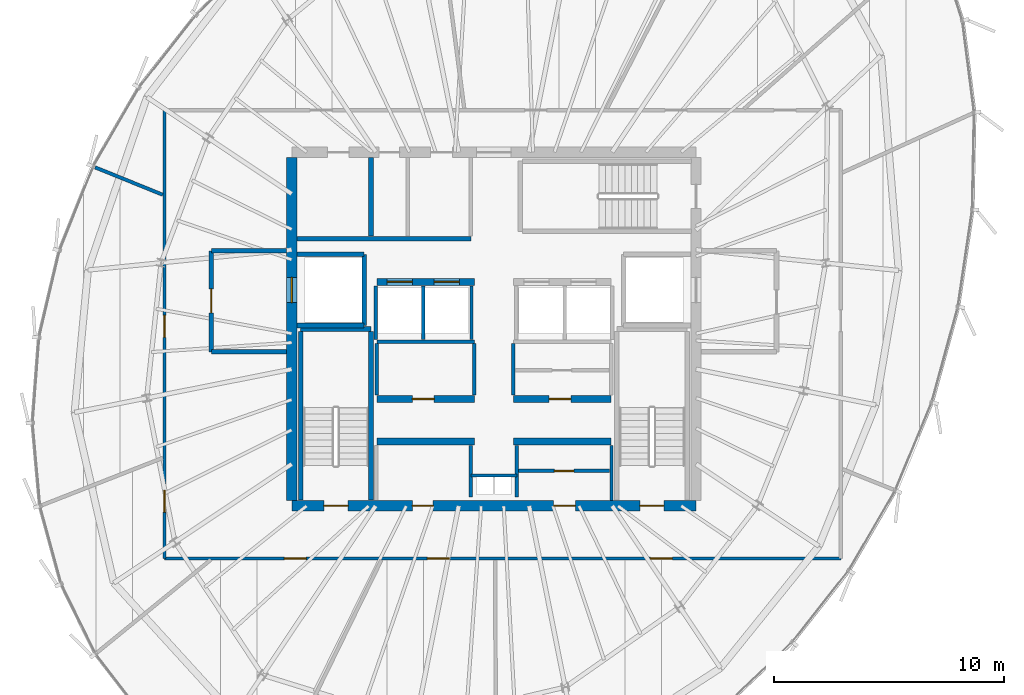
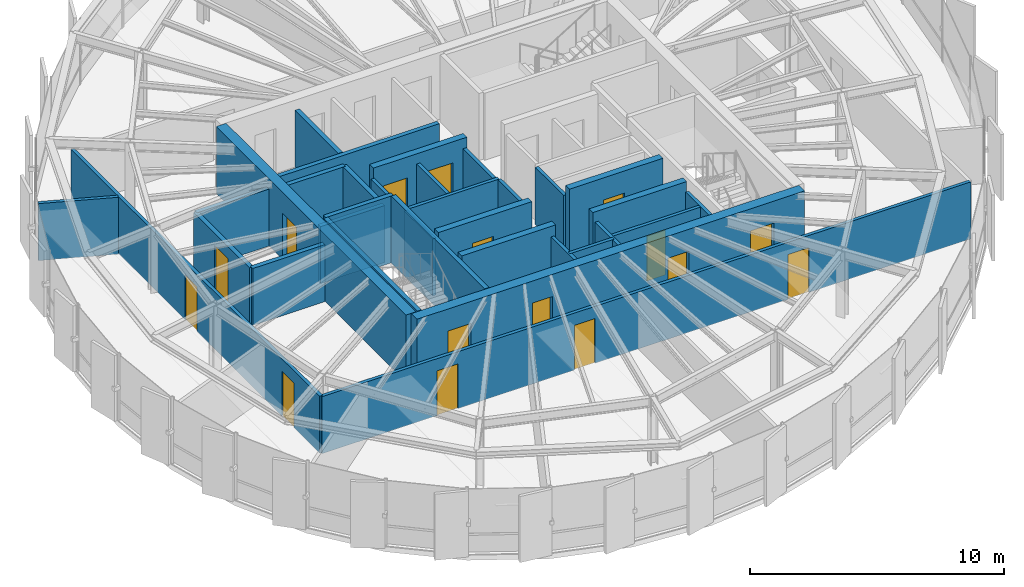
# One storey, part 28 of 34: 33 walls, 16 doors, 16 openings.
"""IFC4 building model written with IfcOpenShell, lengths in metres."""

from ifc_helpers import new_model, si_unit, direction, frame, frame_2d, origin, place, context, subcontext, project, spatial, rectangle, extrude, source, transform, mapped, material, layer, layer_set, type_object, element, fill, save


model = new_model("IFC4")

# Units and contexts
model_context = context("Model", 3, precision=1e-05, world=origin(), true_north=direction((0.0, 1.0)))
body_context = subcontext(model_context, "Body", "Model", "MODEL_VIEW")
ifc_project = project(units=[si_unit("LENGTHUNIT", "METRE"), si_unit("AREAUNIT", "SQUARE_METRE"), si_unit("VOLUMEUNIT", "CUBIC_METRE"), si_unit("PLANEANGLEUNIT", "RADIAN"), si_unit("MASSUNIT", "GRAM", prefix="KILO"), si_unit("THERMODYNAMICTEMPERATUREUNIT", "KELVIN")], contexts=[model_context])

# Site, building, storey
site_placement = place(None, origin())
site = spatial("IfcSite", under=ifc_project, at=site_placement, CompositionType="ELEMENT")
building_placement = place(site_placement, origin())
building = spatial("IfcBuilding", under=site, at=building_placement, Name="Kethvar Cultural Tower", CompositionType="ELEMENT")
storey_placement = place(building_placement, frame((0.0, 0.0, 259.449951171875)))
storey = spatial("IfcBuildingStorey", under=building, at=storey_placement, Name="L68", CompositionType="ELEMENT", Elevation=259.449951171875)

# Wall, openings, doors
ifc_material_1 = material(Name="Concrete C50/60", Category="concrete")
ifc_layer_1 = layer(ifc_material_1, 0.449951171875, Name="Concrete C50/60", Category="concrete")
ifc_layer_set_1 = layer_set([ifc_layer_1], Name="Concrete C50/60 (450 mm)")
wall_type_1 = type_object("IfcWallType", Name="WL-CORE-450", PredefinedType="SHEAR", material=ifc_layer_set_1)
wall_1_placement = place(storey_placement, frame((38.0, 20.10009765625, 0.0), z_axis=(0.0, 0.0, 1.0), x_axis=(1.0, 0.0, 0.0)))
wall_1 = element("IfcWall", 1, at=wall_1_placement, inside=storey, type_object=wall_type_1, Name="L68 Core Shear Wall S", PredefinedType="SHEAR", context=body_context, shape_type="SweptSolid", body=[
    extrude(rectangle(XDim=17.60009765625, YDim=0.449951171875, at=frame_2d((8.800048828125, 0.0))), origin(), (0.0, 0.0, 1.0), 3.2099609375),
])
opening_1_placement = place(wall_1_placement, frame((1.39990234375, 0.0, 0.0)))
opening_1 = element("IfcOpeningElement", 2, at=opening_1_placement, cuts=wall_1, Name="Opening D-L68-S1", PredefinedType="OPENING", context=body_context, shape_type="SweptSolid", body=[
    extrude(rectangle(XDim=1.050048828125, YDim=2.14990234375, at=frame_2d((0.52490234375, 1.074951171875))), frame((0.0, 0.23486328125, 0.0), z_axis=(0.0, -1.0, 0.0), x_axis=(1.0, 0.0, 0.0)), (0.0, 0.0, 1.0), 0.469970703125),
])
opening_2_placement = place(wall_1_placement, frame((15.14990234375, 0.0, 0.0)))
opening_2 = element("IfcOpeningElement", 3, at=opening_2_placement, cuts=wall_1, Name="Opening D-L68-ST2", PredefinedType="OPENING", context=body_context, shape_type="SweptSolid", body=[
    extrude(rectangle(XDim=1.050048828125, YDim=2.14990234375, at=frame_2d((0.52490234375, 1.074951171875))), frame((0.0, 0.23486328125, 0.0), z_axis=(0.0, -1.0, 0.0), x_axis=(1.0, 0.0, 0.0)), (0.0, 0.0, 1.0), 0.469970703125),
])
opening_3_placement = place(wall_1_placement, frame((5.25, 0.0, 0.0)))
opening_3 = element("IfcOpeningElement", 4, at=opening_3_placement, cuts=wall_1, Name="Opening D-L68-V1", PredefinedType="OPENING", context=body_context, shape_type="SweptSolid", body=[
    extrude(rectangle(XDim=0.89990234375, YDim=2.14990234375, at=frame_2d((0.449951171875, 1.074951171875))), frame((0.0, 0.23486328125, 0.0), z_axis=(0.0, -1.0, 0.0), x_axis=(1.0, 0.0, 0.0)), (0.0, 0.0, 1.0), 0.469970703125),
])
opening_4_placement = place(wall_1_placement, frame((11.39990234375, 0.0, 0.0)))
opening_4 = element("IfcOpeningElement", 5, at=opening_4_placement, cuts=wall_1, Name="Opening D-L68-V2", PredefinedType="OPENING", context=body_context, shape_type="SweptSolid", body=[
    extrude(rectangle(XDim=0.949951171875, YDim=2.14990234375, at=frame_2d((0.47509765625, 1.074951171875))), frame((0.0, 0.23486328125, 0.0), z_axis=(0.0, -1.0, 0.0), x_axis=(1.0, 0.0, 0.0)), (0.0, 0.0, 1.0), 0.469970703125),
])
ifc_material_2 = material(Name="Steel S355J2", Category="steel")
door_type_1 = type_object("IfcDoorType", Name="DR-FD60-1050", OperationType="NOTDEFINED", PredefinedType="DOOR", material=ifc_material_2)
shared_shape_1 = source(origin(), body_context, "Body", "SweptSolid", [
    extrude(rectangle(XDim=1.050048828125, YDim=2.14990234375, at=frame_2d((0.52490234375, 1.074951171875))), frame((0.0, 0.02490234375, 0.0), z_axis=(0.0, -1.0, 0.0), x_axis=(1.0, 0.0, 0.0)), (0.0, 0.0, 1.0), 0.050048828125),
])
door_1_placement = place(opening_1_placement, origin())
door_1 = element("IfcDoor", 6, at=door_1_placement, inside=storey, type_object=door_type_1, Name="L68 Exit Stair 1 Door", OperationType="SINGLE_SWING_LEFT", OverallHeight=2.14990234375, OverallWidth=1.050048828125, PredefinedType="DOOR", context=body_context, shape_type="MappedRepresentation", body=[
    mapped(shared_shape_1, transform((0.0, 0.0, 0.0), scale=1.0)),
])
fill(opening_1, door_1)
door_2_placement = place(opening_2_placement, origin())
door_2 = element("IfcDoor", 7, at=door_2_placement, inside=storey, type_object=door_type_1, Name="L68 Exit Stair 2 Door", OperationType="SINGLE_SWING_RIGHT", OverallHeight=2.14990234375, OverallWidth=1.050048828125, PredefinedType="DOOR", context=body_context, shape_type="MappedRepresentation", body=[
    mapped(shared_shape_1, transform((0.0, 0.0, 0.0), scale=1.0)),
])
fill(opening_2, door_2)
ifc_material_3 = material(Name="Architectural Oak Timber", Category="wood")
door_type_2 = type_object("IfcDoorType", Name="DR-FD30-950", OperationType="NOTDEFINED", PredefinedType="DOOR", material=ifc_material_3)
shared_shape_2 = source(origin(), body_context, "Body", "SweptSolid", [
    extrude(rectangle(XDim=0.949951171875, YDim=2.14990234375, at=frame_2d((0.47509765625, 1.074951171875))), frame((0.0, 0.02490234375, 0.0), z_axis=(0.0, -1.0, 0.0), x_axis=(1.0, 0.0, 0.0)), (0.0, 0.0, 1.0), 0.050048828125),
])
door_3_placement = place(opening_4_placement, origin())
door_3 = element("IfcDoor", 8, at=door_3_placement, inside=storey, type_object=door_type_2, Name="L68 Bindery Supply Door", OperationType="SINGLE_SWING_RIGHT", OverallHeight=2.14990234375, OverallWidth=0.949951171875, PredefinedType="DOOR", context=body_context, shape_type="MappedRepresentation", body=[
    mapped(shared_shape_2, transform((0.0, 0.0, 0.0), scale=1.0)),
])
fill(opening_4, door_3)
door_type_3 = type_object("IfcDoorType", Name="DR-FD30-900", OperationType="NOTDEFINED", PredefinedType="DOOR", material=ifc_material_3)
shared_shape_3 = source(origin(), body_context, "Body", "SweptSolid", [
    extrude(rectangle(XDim=0.89990234375, YDim=2.14990234375, at=frame_2d((0.449951171875, 1.074951171875))), frame((0.0, 0.02490234375, 0.0), z_axis=(0.0, -1.0, 0.0), x_axis=(1.0, 0.0, 0.0)), (0.0, 0.0, 1.0), 0.050048828125),
])
door_4_placement = place(opening_3_placement, origin())
door_4 = element("IfcDoor", 9, at=door_4_placement, inside=storey, type_object=door_type_3, Name="L68 Folio Vault Door", OperationType="SINGLE_SWING_LEFT", OverallHeight=2.14990234375, OverallWidth=0.89990234375, PredefinedType="DOOR", context=body_context, shape_type="MappedRepresentation", body=[
    mapped(shared_shape_3, transform((0.0, 0.0, 0.0), scale=1.0)),
])
fill(opening_3, door_4)

# Wall, opening, door
wall_2_placement = place(storey_placement, frame((38.0, 35.260009765625, 0.0), z_axis=(0.0, 0.0, 1.0), x_axis=(0.0, -1.0, 0.0)))
wall_2 = element("IfcWall", 10, at=wall_2_placement, inside=storey, type_object=wall_type_1, Name="L68 Core Shear Wall W", PredefinedType="SHEAR", context=body_context, shape_type="SweptSolid", body=[
    extrude(rectangle(XDim=14.919921875, YDim=0.449951171875, at=frame_2d((7.4599609375, 0.0))), origin(), (0.0, 0.0, 1.0), 3.2099609375),
])
opening_5_placement = place(wall_2_placement, frame((5.2099609375, 0.0, 0.0)))
opening_5 = element("IfcOpeningElement", 11, at=opening_5_placement, cuts=wall_2, Name="Opening LD-1", PredefinedType="OPENING", context=body_context, shape_type="SweptSolid", body=[
    extrude(rectangle(XDim=1.10009765625, YDim=2.199951171875, at=frame_2d((0.550048828125, 1.10009765625))), frame((0.0, 0.23486328125, 0.0), z_axis=(0.0, -1.0, 0.0), x_axis=(1.0, 0.0, 0.0)), (0.0, 0.0, 1.0), 0.469970703125),
])
door_type_4 = type_object("IfcDoorType", Name="DR-LIFT-SLIDE-1100", OperationType="NOTDEFINED", PredefinedType="DOOR", material=ifc_material_2)
shared_shape_4 = source(origin(), body_context, "Body", "SweptSolid", [
    extrude(rectangle(XDim=1.10009765625, YDim=2.199951171875, at=frame_2d((0.550048828125, 1.10009765625))), frame((0.0, 0.02490234375, 0.0), z_axis=(0.0, -1.0, 0.0), x_axis=(1.0, 0.0, 0.0)), (0.0, 0.0, 1.0), 0.050048828125),
])
door_5_placement = place(opening_5_placement, origin())
door_5 = element("IfcDoor", 12, at=door_5_placement, inside=storey, type_object=door_type_4, Name="L68 Firefighting Lift Landing Door FFL-01", OperationType="SLIDING_TO_LEFT", OverallHeight=2.199951171875, OverallWidth=1.10009765625, PredefinedType="DOOR", context=body_context, shape_type="MappedRepresentation", body=[
    mapped(shared_shape_4, transform((0.0, 0.0, 0.0), scale=1.0)),
])
fill(opening_5, door_5)

# Walls
ifc_material_4 = material(Name="Gypsum Fireboard Partition")
ifc_layer_2 = layer(ifc_material_4, 0.14990234375, Name="Gypsum Fireboard Partition")
ifc_layer_set_2 = layer_set([ifc_layer_2], Name="Gypsum Fireboard Partition (150 mm)")
wall_type_2 = type_object("IfcWallType", Name="WL-FIRE-150", PredefinedType="PARTITIONING", material=ifc_layer_set_2)
wall_3_placement = place(storey_placement, frame((45.800048828125, 21.419921875, 0.0), z_axis=(0.0, 0.0, 1.0), x_axis=(1.0, 0.0, 0.0)))
element("IfcWall", 13, at=wall_3_placement, inside=storey, type_object=wall_type_2, Name="L68 Core Riser Wall", PredefinedType="PARTITIONING", context=body_context, shape_type="SweptSolid", body=[
    extrude(rectangle(XDim=2.0, YDim=0.14990234375, at=frame_2d((1.0, 0.0))), origin(), (0.0, 0.0, 1.0), 2.735107421875),
])
for number, where, z_axis, x_axis, name in (
    (14, (45.800048828125, 20.47998046875, 0.0), (0.0, 0.0, 1.0), (0.0, 1.0, 0.0), "L68 Core Riser West Wall"),
    (15, (47.800048828125, 20.47998046875, 0.0), (0.0, 0.0, 1.0), (0.0, 1.0, 0.0), "L68 Core Riser East Wall"),
):
    element("IfcWall", number, at=place(storey_placement, frame(where, z_axis=z_axis, x_axis=x_axis)), inside=storey, type_object=wall_type_2, Name=name, PredefinedType="PARTITIONING", context=body_context, shape_type="SweptSolid", body=[
        extrude(rectangle(XDim=2.239990234375, YDim=0.14990234375, at=frame_2d((1.1201171875, 0.0))), origin(), (0.0, 0.0, 1.0), 2.735107421875),
    ])
wall_4_placement = place(storey_placement, frame((51.919921875, 20.3349609375, 0.0), z_axis=(0.0, 0.0, 1.0), x_axis=(0.0, 1.0, 0.0)))
element("IfcWall", 16, at=wall_4_placement, inside=storey, type_object=wall_type_2, Name="L68 Reclaimed East Outer Wall", PredefinedType="PARTITIONING", context=body_context, shape_type="SweptSolid", body=[
    extrude(rectangle(XDim=2.39501953125, YDim=0.14990234375, at=frame_2d((1.197509765625, 0.0))), origin(), (0.0, 0.0, 1.0), 2.735107421875),
])

# Wall, opening, door
wall_5_placement = place(storey_placement, frame((47.8798828125, 21.6201171875, 0.0), z_axis=(0.0, 0.0, 1.0), x_axis=(1.0, 0.0, 0.0)))
wall_5 = element("IfcWall", 17, at=wall_5_placement, inside=storey, type_object=wall_type_2, Name="L68 Pantry Gallery Wall E", PredefinedType="PARTITIONING", context=body_context, shape_type="SweptSolid", body=[
    extrude(rectangle(XDim=3.960205078125, YDim=0.14990234375, at=frame_2d((1.97998046875, 0.0))), origin(), (0.0, 0.0, 1.0), 2.735107421875),
])
opening_6_placement = place(wall_5_placement, frame((1.550048828125, 0.0, 0.0)))
opening_6 = element("IfcOpeningElement", 18, at=opening_6_placement, cuts=wall_5, Name="Opening D-L68-V3", PredefinedType="OPENING", context=body_context, shape_type="SweptSolid", body=[
    extrude(rectangle(XDim=0.85009765625, YDim=2.14990234375, at=frame_2d((0.425048828125, 1.074951171875))), frame((0.0, 0.0849609375, 0.0), z_axis=(0.0, -1.0, 0.0), x_axis=(1.0, 0.0, 0.0)), (0.0, 0.0, 1.0), 0.169921875),
])
door_type_5 = type_object("IfcDoorType", Name="DR-FD30-850", OperationType="NOTDEFINED", PredefinedType="DOOR", material=ifc_material_2)
shared_shape_5 = source(origin(), body_context, "Body", "SweptSolid", [
    extrude(rectangle(XDim=0.85009765625, YDim=2.14990234375, at=frame_2d((0.425048828125, 1.074951171875))), frame((0.0, 0.02490234375, 0.0), z_axis=(0.0, -1.0, 0.0), x_axis=(1.0, 0.0, 0.0)), (0.0, 0.0, 1.0), 0.050048828125),
])
door_6_placement = place(opening_6_placement, origin())
door_6 = element("IfcDoor", 19, at=door_6_placement, inside=storey, type_object=door_type_5, Name="L68 Inner Pantry Gallery Door", OperationType="SINGLE_SWING_RIGHT", OverallHeight=2.14990234375, OverallWidth=0.85009765625, PredefinedType="DOOR", context=body_context, shape_type="MappedRepresentation", body=[
    mapped(shared_shape_5, transform((0.0, 0.0, 0.0), scale=1.0)),
])
fill(opening_6, door_6)

# Walls
wall_6_placement = place(storey_placement, frame((41.699951171875, 27.25, 0.0), z_axis=(0.0, 0.0, 1.0), x_axis=(1.0, 0.0, 0.0)))
element("IfcWall", 20, at=wall_6_placement, inside=storey, type_object=wall_type_2, Name="L68 Reclaimed Mid Wall W", PredefinedType="PARTITIONING", context=body_context, shape_type="SweptSolid", body=[
    extrude(rectangle(XDim=4.25, YDim=0.14990234375, at=frame_2d((2.125, 0.0))), origin(), (0.0, 0.0, 1.0), 2.735107421875),
])
for number, where, z_axis, x_axis, name in (
    (21, (41.699951171875, 24.919921875, 0.0), (0.0, 0.0, 1.0), (0.0, 1.0, 0.0), "L68 Reclaimed Mid Outer W"),
    (22, (45.949951171875, 24.919921875, 0.0), (0.0, 0.0, 1.0), (0.0, 1.0, 0.0), "L68 Reclaimed Mid Spine W"),
    (23, (47.64990234375, 24.919921875, 0.0), (0.0, 0.0, 1.0), (0.0, 1.0, 0.0), "L68 Reclaimed Mid Spine E"),
):
    element("IfcWall", number, at=place(storey_placement, frame(where, z_axis=z_axis, x_axis=x_axis)), inside=storey, type_object=wall_type_2, Name=name, PredefinedType="PARTITIONING", context=body_context, shape_type="SweptSolid", body=[
        extrude(rectangle(XDim=2.239990234375, YDim=0.14990234375, at=frame_2d((1.1201171875, 0.0))), origin(), (0.0, 0.0, 1.0), 2.735107421875),
    ])
for number, where, z_axis, x_axis, name in (
    (24, (41.64990234375, 27.340087890625, 0.0), (0.0, 0.0, 1.0), (0.0, 1.0, 0.0), "L68 High-Rise Lift Shaft Outer Wall W"),
    (25, (43.72509765625, 27.340087890625, 0.0), (0.0, 0.0, 1.0), (0.0, 1.0, 0.0), "L68 High-Rise Lift Shaft Divider W"),
    (26, (45.824951171875, 27.340087890625, 0.0), (0.0, 0.0, 1.0), (0.0, 1.0, 0.0), "L68 High-Rise Lift Shaft Concourse Wall W"),
):
    element("IfcWall", number, at=place(storey_placement, frame(where, z_axis=z_axis, x_axis=x_axis)), inside=storey, type_object=wall_type_2, Name=name, PredefinedType="PARTITIONING", context=body_context, shape_type="SweptSolid", body=[
        extrude(rectangle(XDim=2.33984375, YDim=0.14990234375, at=frame_2d((1.169921875, 0.0))), origin(), (0.0, 0.0, 1.0), 2.735107421875),
    ])

# Wall, openings, doors
wall_7_placement = place(storey_placement, frame((32.4599609375, 17.806884765625, 0.0), z_axis=(0.0, 0.0, 1.0), x_axis=(1.0, 0.0, 0.0)))
wall_7 = element("IfcWall", 27, at=wall_7_placement, inside=storey, type_object=wall_type_2, Name="L68 Corridor Rated Wall S", PredefinedType="PARTITIONING", context=body_context, shape_type="SweptSolid", body=[
    extrude(rectangle(XDim=29.442138671875, YDim=0.14990234375, at=frame_2d((14.72119140625, 0.0))), origin(), (0.0, 0.0, 1.0), 2.735107421875),
])
opening_7_placement = place(wall_7_placement, frame((5.2197265625, 0.0, 0.0)))
opening_7 = element("IfcOpeningElement", 28, at=opening_7_placement, cuts=wall_7, Name="Opening D-L68-02", PredefinedType="OPENING", context=body_context, shape_type="SweptSolid", body=[
    extrude(rectangle(XDim=0.949951171875, YDim=2.14990234375, at=frame_2d((0.47509765625, 1.074951171875))), frame((0.0, 0.0849609375, 0.0), z_axis=(0.0, -1.0, 0.0), x_axis=(1.0, 0.0, 0.0)), (0.0, 0.0, 1.0), 0.169921875),
])
opening_8_placement = place(wall_7_placement, frame((11.443115234375, 0.0, 0.0)))
opening_8 = element("IfcOpeningElement", 29, at=opening_8_placement, cuts=wall_7, Name="Opening D-L68-03", PredefinedType="OPENING", context=body_context, shape_type="SweptSolid", body=[
    extrude(rectangle(XDim=0.949951171875, YDim=2.14990234375, at=frame_2d((0.47509765625, 1.074951171875))), frame((0.0, 0.0849609375, 0.0), z_axis=(0.0, -1.0, 0.0), x_axis=(1.0, 0.0, 0.0)), (0.0, 0.0, 1.0), 0.169921875),
])
opening_9_placement = place(wall_7_placement, frame((21.154296875, 0.0, 0.0)))
opening_9 = element("IfcOpeningElement", 30, at=opening_9_placement, cuts=wall_7, Name="Opening D-L68-04", PredefinedType="OPENING", context=body_context, shape_type="SweptSolid", body=[
    extrude(rectangle(XDim=0.949951171875, YDim=2.14990234375, at=frame_2d((0.47509765625, 1.074951171875))), frame((0.0, 0.0849609375, 0.0), z_axis=(0.0, -1.0, 0.0), x_axis=(1.0, 0.0, 0.0)), (0.0, 0.0, 1.0), 0.169921875),
])
door_7_placement = place(opening_7_placement, origin())
door_7 = element("IfcDoor", 31, at=door_7_placement, inside=storey, type_object=door_type_2, Name="L68 Curatorial Research Office 02 Door", OperationType="SINGLE_SWING_RIGHT", OverallHeight=2.14990234375, OverallWidth=0.949951171875, PredefinedType="DOOR", context=body_context, shape_type="MappedRepresentation", body=[
    mapped(shared_shape_2, transform((0.0, 0.0, 0.0), scale=1.0)),
])
fill(opening_7, door_7)
door_8_placement = place(opening_8_placement, origin())
door_8 = element("IfcDoor", 32, at=door_8_placement, inside=storey, type_object=door_type_2, Name="L68 Members' Dining Lounge 03 Door", OperationType="SINGLE_SWING_LEFT", OverallHeight=2.14990234375, OverallWidth=0.949951171875, PredefinedType="DOOR", context=body_context, shape_type="MappedRepresentation", body=[
    mapped(shared_shape_2, transform((0.0, 0.0, 0.0), scale=1.0)),
])
fill(opening_8, door_8)
door_9_placement = place(opening_9_placement, origin())
door_9 = element("IfcDoor", 33, at=door_9_placement, inside=storey, type_object=door_type_2, Name="L68 Researchers' Study Lounge 04 Door", OperationType="SINGLE_SWING_RIGHT", OverallHeight=2.14990234375, OverallWidth=0.949951171875, PredefinedType="DOOR", context=body_context, shape_type="MappedRepresentation", body=[
    mapped(shared_shape_2, transform((0.0, 0.0, 0.0), scale=1.0)),
])
fill(opening_9, door_9)

wall_8_placement = place(storey_placement, frame((32.4599609375, 37.3310546875, 0.0), z_axis=(0.0, 0.0, 1.0), x_axis=(0.0, -1.0, 0.0)))
wall_8 = element("IfcWall", 34, at=wall_8_placement, inside=storey, type_object=wall_type_2, Name="L68 Corridor Rated Wall W", PredefinedType="PARTITIONING", context=body_context, shape_type="SweptSolid", body=[
    extrude(rectangle(XDim=19.524169921875, YDim=0.14990234375, at=frame_2d((9.76220703125, 0.0))), origin(), (0.0, 0.0, 1.0), 2.735107421875),
])
opening_10_placement = place(wall_8_placement, frame((16.5546875, 0.0, 0.0)))
opening_10 = element("IfcOpeningElement", 35, at=opening_10_placement, cuts=wall_8, Name="Opening D-L68-01", PredefinedType="OPENING", context=body_context, shape_type="SweptSolid", body=[
    extrude(rectangle(XDim=0.949951171875, YDim=2.14990234375, at=frame_2d((0.47509765625, 1.074951171875))), frame((0.0, 0.0849609375, 0.0), z_axis=(0.0, -1.0, 0.0), x_axis=(1.0, 0.0, 0.0)), (0.0, 0.0, 1.0), 0.169921875),
])
opening_11_placement = place(wall_8_placement, frame((8.941650390625, 0.0, 0.0)))
opening_11 = element("IfcOpeningElement", 36, at=opening_11_placement, cuts=wall_8, Name="Opening D-L68-10", PredefinedType="OPENING", context=body_context, shape_type="SweptSolid", body=[
    extrude(rectangle(XDim=0.949951171875, YDim=2.14990234375, at=frame_2d((0.47509765625, 1.074951171875))), frame((0.0, 0.0849609375, 0.0), z_axis=(0.0, -1.0, 0.0), x_axis=(1.0, 0.0, 0.0)), (0.0, 0.0, 1.0), 0.169921875),
])
door_10_placement = place(opening_10_placement, origin())
door_10 = element("IfcDoor", 37, at=door_10_placement, inside=storey, type_object=door_type_2, Name="L68 Foundation Executive Office 01 Door", OperationType="SINGLE_SWING_LEFT", OverallHeight=2.14990234375, OverallWidth=0.949951171875, PredefinedType="DOOR", context=body_context, shape_type="MappedRepresentation", body=[
    mapped(shared_shape_2, transform((0.0, 0.0, 0.0), scale=1.0)),
])
fill(opening_10, door_10)
door_11_placement = place(opening_11_placement, origin())
door_11 = element("IfcDoor", 38, at=door_11_placement, inside=storey, type_object=door_type_2, Name="L68 Ceramics Craft Workshop 10 Door", OperationType="SINGLE_SWING_RIGHT", OverallHeight=2.14990234375, OverallWidth=0.949951171875, PredefinedType="DOOR", context=body_context, shape_type="MappedRepresentation", body=[
    mapped(shared_shape_2, transform((0.0, 0.0, 0.0), scale=1.0)),
])
fill(opening_11, door_11)

# Walls
ifc_material_5 = material(Name="Concrete C40/50", Category="concrete")
ifc_layer_3 = layer(ifc_material_5, 0.199951171875, Name="Concrete C40/50", Category="concrete")
ifc_layer_set_3 = layer_set([ifc_layer_3], Name="Concrete C40/50 (200 mm)")
wall_type_3 = type_object("IfcWallType", Name="WL-FIRE-200", PredefinedType="PARTITIONING", material=ifc_layer_set_3)
wall_9_placement = place(storey_placement, frame((41.14990234375, 27.949951171875, 0.0), z_axis=(0.0, 0.0, 1.0), x_axis=(0.0, 1.0, 0.0)))
element("IfcWall", 39, at=wall_9_placement, inside=storey, type_object=wall_type_3, Name="L68 FFL-01 Shaft Inner Wall", PredefinedType="PARTITIONING", context=body_context, shape_type="SweptSolid", body=[
    extrude(rectangle(XDim=3.10009765625, YDim=0.199951171875, at=frame_2d((1.550048828125, 0.0))), origin(), (0.0, 0.0, 1.0), 2.735107421875),
])
for number, where, z_axis, x_axis, name in (
    (40, (38.235107421875, 27.949951171875, 0.0), (0.0, 0.0, 1.0), (1.0, 0.0, 0.0), "L68 FFL-01 Shaft South Wall"),
    (41, (38.235107421875, 31.050048828125, 0.0), (0.0, 0.0, 1.0), (1.0, 0.0, 0.0), "L68 FFL-01 Shaft North Wall"),
):
    element("IfcWall", number, at=place(storey_placement, frame(where, z_axis=z_axis, x_axis=x_axis)), inside=storey, type_object=wall_type_3, Name=name, PredefinedType="PARTITIONING", context=body_context, shape_type="SweptSolid", body=[
        extrude(rectangle(XDim=2.914794921875, YDim=0.199951171875, at=frame_2d((1.45751953125, 0.0))), origin(), (0.0, 0.0, 1.0), 2.735107421875),
    ])

# Wall, opening, door
wall_10_placement = place(storey_placement, frame((34.5, 31.199951171875, 0.0), z_axis=(0.0, 0.0, 1.0), x_axis=(0.0, -1.0, 0.0)))
wall_10 = element("IfcWall", 42, at=wall_10_placement, inside=storey, type_object=wall_type_3, Name="L68 Firefighting Lobby 1 Wall", PredefinedType="PARTITIONING", context=body_context, shape_type="SweptSolid", body=[
    extrude(rectangle(XDim=4.39990234375, YDim=0.199951171875, at=frame_2d((2.199951171875, 0.0))), origin(), (0.0, 0.0, 1.0), 2.735107421875),
])
opening_12_placement = place(wall_10_placement, frame((1.64990234375, 0.0, 0.0)))
opening_12 = element("IfcOpeningElement", 43, at=opening_12_placement, cuts=wall_10, Name="Opening D-L68-F1", PredefinedType="OPENING", context=body_context, shape_type="SweptSolid", body=[
    extrude(rectangle(XDim=1.050048828125, YDim=2.14990234375, at=frame_2d((0.52490234375, 1.074951171875))), frame((0.0, 0.10986328125, 0.0), z_axis=(0.0, -1.0, 0.0), x_axis=(1.0, 0.0, 0.0)), (0.0, 0.0, 1.0), 0.219970703125),
])
door_12_placement = place(opening_12_placement, origin())
door_12 = element("IfcDoor", 44, at=door_12_placement, inside=storey, type_object=door_type_1, Name="L68 Firefighting Lobby 1 Fire Door", OperationType="SINGLE_SWING_LEFT", OverallHeight=2.14990234375, OverallWidth=1.050048828125, PredefinedType="DOOR", context=body_context, shape_type="MappedRepresentation", body=[
    mapped(shared_shape_1, transform((0.0, 0.0, 0.0), scale=1.0)),
])
fill(opening_12, door_12)

# Walls
for number, where, z_axis, x_axis, name in (
    (45, (34.5, 26.800048828125, 0.0), (0.0, 0.0, 1.0), (1.0, 0.0, 0.0), "L68 FF Lobby 1 South Wall"),
    (46, (34.5, 31.199951171875, 0.0), (0.0, 0.0, 1.0), (1.0, 0.0, 0.0), "L68 FF Lobby 1 North Wall"),
):
    element("IfcWall", number, at=place(storey_placement, frame(where, z_axis=z_axis, x_axis=x_axis)), inside=storey, type_object=wall_type_3, Name=name, PredefinedType="PARTITIONING", context=body_context, shape_type="SweptSolid", body=[
        extrude(rectangle(XDim=3.264892578125, YDim=0.199951171875, at=frame_2d((1.63232421875, 0.0))), origin(), (0.0, 0.0, 1.0), 2.735107421875),
    ])
wall_11_placement = place(storey_placement, frame((41.449951171875, 31.85009765625, 0.0), z_axis=(0.0, 0.0, 1.0), x_axis=(0.0, 1.0, 0.0)))
element("IfcWall", 47, at=wall_11_placement, inside=storey, type_object=wall_type_3, Name="L68 NW Core Pocket Wall", PredefinedType="PARTITIONING", context=body_context, shape_type="SweptSolid", body=[
    extrude(rectangle(XDim=3.414794921875, YDim=0.199951171875, at=frame_2d((1.70751953125, 0.0))), origin(), (0.0, 0.0, 1.0), 2.735107421875),
])
wall_12_placement = place(storey_placement, frame((38.235107421875, 31.72998046875, 0.0), z_axis=(0.0, 0.0, 1.0), x_axis=(1.0, 0.0, 0.0)))
element("IfcWall", 48, at=wall_12_placement, inside=storey, type_object=wall_type_3, Name="L68 North Core Sanitary South Wall", PredefinedType="PARTITIONING", context=body_context, shape_type="SweptSolid", body=[
    extrude(rectangle(XDim=7.56494140625, YDim=0.199951171875, at=frame_2d((3.782470703125, 0.0))), origin(), (0.0, 0.0, 1.0), 2.735107421875),
])
ifc_material_6 = material(Name="Gypsum Acoustic Partition")
ifc_layer_4 = layer(ifc_material_6, 0.14990234375, Name="Gypsum Acoustic Partition")
ifc_layer_set_4 = layer_set([ifc_layer_4], Name="Gypsum Acoustic Partition (150 mm)")
wall_type_4 = type_object("IfcWallType", Name="WL-PART-150", PredefinedType="PARTITIONING", material=ifc_layer_set_4)
wall_13_placement = place(storey_placement, frame((32.385986328125, 33.6416015625, 0.0), z_axis=(0.0, 0.0, 1.0), x_axis=(-0.92674505075, 0.375690844859, 0.0)))
element("IfcWall", 49, at=wall_13_placement, inside=storey, type_object=wall_type_4, Name="L68 Radial Partition Wall 10", PredefinedType="PARTITIONING", context=body_context, shape_type="SweptSolid", body=[
    extrude(rectangle(XDim=3.178466796875, YDim=0.14990234375, at=frame_2d((1.58935546875, 0.0))), origin(), (0.0, 0.0, 1.0), 2.735107421875),
])
ifc_layer_5 = layer(ifc_material_1, 0.300048828125, Name="Concrete C50/60", Category="concrete")
ifc_layer_set_5 = layer_set([ifc_layer_5], Name="Concrete C50/60 (300 mm)")
wall_type_5 = type_object("IfcWallType", Name="WL-SHAFT-300", PredefinedType="SHEAR", material=ifc_layer_set_5)
for number, where, z_axis, x_axis, name in (
    (50, (41.699951171875, 22.89990234375, 0.0), (0.0, 0.0, 1.0), (1.0, 0.0, 0.0), "L68 Core Lift Spine Wall MID1W"),
    (51, (47.64990234375, 22.89990234375, 0.0), (0.0, 0.0, 1.0), (1.0, 0.0, 0.0), "L68 Core Lift Spine Wall MID1E"),
):
    element("IfcWall", number, at=place(storey_placement, frame(where, z_axis=z_axis, x_axis=x_axis)), inside=storey, type_object=wall_type_5, Name=name, PredefinedType="SHEAR", context=body_context, shape_type="SweptSolid", body=[
        extrude(rectangle(XDim=4.25, YDim=0.300048828125, at=frame_2d((2.125, 0.0))), origin(), (0.0, 0.0, 1.0), 3.2099609375),
    ])

# Wall, opening, door
wall_14_placement = place(storey_placement, frame((41.699951171875, 24.75, 0.0), z_axis=(0.0, 0.0, 1.0), x_axis=(1.0, 0.0, 0.0)))
wall_14 = element("IfcWall", 52, at=wall_14_placement, inside=storey, type_object=wall_type_5, Name="L68 Core Lift Spine Wall MID2W", PredefinedType="SHEAR", context=body_context, shape_type="SweptSolid", body=[
    extrude(rectangle(XDim=4.25, YDim=0.300048828125, at=frame_2d((2.125, 0.0))), origin(), (0.0, 0.0, 1.0), 3.2099609375),
])
opening_13_placement = place(wall_14_placement, frame((1.550048828125, 0.0, 0.0)))
opening_13 = element("IfcOpeningElement", 53, at=opening_13_placement, cuts=wall_14, Name="Opening D-L68-M1", PredefinedType="OPENING", context=body_context, shape_type="SweptSolid", body=[
    extrude(rectangle(XDim=0.949951171875, YDim=2.14990234375, at=frame_2d((0.47509765625, 1.074951171875))), frame((0.0, 0.159912109375, 0.0), z_axis=(0.0, -1.0, 0.0), x_axis=(1.0, 0.0, 0.0)), (0.0, 0.0, 1.0), 0.320068359375),
])
door_13_placement = place(opening_13_placement, origin())
door_13 = element("IfcDoor", 54, at=door_13_placement, inside=storey, type_object=door_type_2, Name="L68 Broadcast Rack Door", OperationType="SINGLE_SWING_LEFT", OverallHeight=2.14990234375, OverallWidth=0.949951171875, PredefinedType="DOOR", context=body_context, shape_type="MappedRepresentation", body=[
    mapped(shared_shape_2, transform((0.0, 0.0, 0.0), scale=1.0)),
])
fill(opening_13, door_13)

wall_15_placement = place(storey_placement, frame((47.64990234375, 24.75, 0.0), z_axis=(0.0, 0.0, 1.0), x_axis=(1.0, 0.0, 0.0)))
wall_15 = element("IfcWall", 55, at=wall_15_placement, inside=storey, type_object=wall_type_5, Name="L68 Core Lift Spine Wall MID2E", PredefinedType="SHEAR", context=body_context, shape_type="SweptSolid", body=[
    extrude(rectangle(XDim=4.25, YDim=0.300048828125, at=frame_2d((2.125, 0.0))), origin(), (0.0, 0.0, 1.0), 3.2099609375),
])
opening_14_placement = place(wall_15_placement, frame((1.550048828125, 0.0, 0.0)))
opening_14 = element("IfcOpeningElement", 56, at=opening_14_placement, cuts=wall_15, Name="Opening D-L68-M2", PredefinedType="OPENING", context=body_context, shape_type="SweptSolid", body=[
    extrude(rectangle(XDim=0.949951171875, YDim=2.14990234375, at=frame_2d((0.47509765625, 1.074951171875))), frame((0.0, 0.159912109375, 0.0), z_axis=(0.0, -1.0, 0.0), x_axis=(1.0, 0.0, 0.0)), (0.0, 0.0, 1.0), 0.320068359375),
])
door_14_placement = place(opening_14_placement, origin())
door_14 = element("IfcDoor", 57, at=door_14_placement, inside=storey, type_object=door_type_2, Name="L68 UPS Closet Door", OperationType="SINGLE_SWING_RIGHT", OverallHeight=2.14990234375, OverallWidth=0.949951171875, PredefinedType="DOOR", context=body_context, shape_type="MappedRepresentation", body=[
    mapped(shared_shape_2, transform((0.0, 0.0, 0.0), scale=1.0)),
])
fill(opening_14, door_14)

# Wall, openings, doors
wall_16_placement = place(storey_placement, frame((41.699951171875, 29.85009765625, 0.0), z_axis=(0.0, 0.0, 1.0), x_axis=(1.0, 0.0, 0.0)))
wall_16 = element("IfcWall", 58, at=wall_16_placement, inside=storey, type_object=wall_type_5, Name="L68 Core Lift Spine Wall MID3W", PredefinedType="SHEAR", context=body_context, shape_type="SweptSolid", body=[
    extrude(rectangle(XDim=4.25, YDim=0.300048828125, at=frame_2d((2.125, 0.0))), origin(), (0.0, 0.0, 1.0), 3.2099609375),
])
opening_15_placement = place(wall_16_placement, frame((0.449951171875, 0.0, 0.0)))
opening_15 = element("IfcOpeningElement", 59, at=opening_15_placement, cuts=wall_16, Name="Opening LD-H1", PredefinedType="OPENING", context=body_context, shape_type="SweptSolid", body=[
    extrude(rectangle(XDim=1.10009765625, YDim=2.199951171875, at=frame_2d((0.550048828125, 1.10009765625))), frame((0.0, 0.159912109375, 0.0), z_axis=(0.0, -1.0, 0.0), x_axis=(1.0, 0.0, 0.0)), (0.0, 0.0, 1.0), 0.320068359375),
])
opening_16_placement = place(wall_16_placement, frame((2.5, 0.0, 0.0)))
opening_16 = element("IfcOpeningElement", 60, at=opening_16_placement, cuts=wall_16, Name="Opening LD-H2", PredefinedType="OPENING", context=body_context, shape_type="SweptSolid", body=[
    extrude(rectangle(XDim=1.10009765625, YDim=2.199951171875, at=frame_2d((0.550048828125, 1.10009765625))), frame((0.0, 0.159912109375, 0.0), z_axis=(0.0, -1.0, 0.0), x_axis=(1.0, 0.0, 0.0)), (0.0, 0.0, 1.0), 0.320068359375),
])
door_15_placement = place(opening_15_placement, origin())
door_15 = element("IfcDoor", 61, at=door_15_placement, inside=storey, type_object=door_type_4, Name="L68 High-Rise Lift Landing Door H1", OperationType="SLIDING_TO_LEFT", OverallHeight=2.199951171875, OverallWidth=1.10009765625, PredefinedType="DOOR", context=body_context, shape_type="MappedRepresentation", body=[
    mapped(shared_shape_4, transform((0.0, 0.0, 0.0), scale=1.0)),
])
fill(opening_15, door_15)
door_16_placement = place(opening_16_placement, origin())
door_16 = element("IfcDoor", 62, at=door_16_placement, inside=storey, type_object=door_type_4, Name="L68 High-Rise Lift Landing Door H2", OperationType="SLIDING_TO_LEFT", OverallHeight=2.199951171875, OverallWidth=1.10009765625, PredefinedType="DOOR", context=body_context, shape_type="MappedRepresentation", body=[
    mapped(shared_shape_4, transform((0.0, 0.0, 0.0), scale=1.0)),
])
fill(opening_16, door_16)

# Walls
ifc_layer_6 = layer(ifc_material_1, 0.199951171875, Name="Concrete C50/60", Category="concrete")
ifc_layer_set_6 = layer_set([ifc_layer_6], Name="Concrete C50/60 (200 mm)")
wall_type_6 = type_object("IfcWallType", Name="WL-STSHAFT-200", PredefinedType="SHEAR", material=ifc_layer_set_6)
wall_17_placement = place(storey_placement, frame((38.389892578125, 27.800048828125, 0.0), z_axis=(0.0, 0.0, 1.0), x_axis=(1.0, 0.0, 0.0)))
element("IfcWall", 63, at=wall_17_placement, inside=storey, type_object=wall_type_6, Name="L68 ST-01 Stair Shaft Wall FAR", PredefinedType="SHEAR", context=body_context, shape_type="SweptSolid", body=[
    extrude(rectangle(XDim=3.06005859375, YDim=0.199951171875, at=frame_2d((1.530029296875, 0.0))), origin(), (0.0, 0.0, 1.0), 3.2099609375),
])
for number, where, z_axis, x_axis, name in (
    (64, (41.449951171875, 27.699951171875, 0.0), (0.0, 0.0, 1.0), (0.0, -1.0, 0.0), "L68 ST-01 Stair Shaft Wall LEFT"),
    (65, (38.389892578125, 20.35009765625, 0.0), (0.0, 0.0, 1.0), (0.0, 1.0, 0.0), "L68 ST-01 Stair Shaft Wall RIGHT"),
):
    element("IfcWall", number, at=place(storey_placement, frame(where, z_axis=z_axis, x_axis=x_axis)), inside=storey, type_object=wall_type_6, Name=name, PredefinedType="SHEAR", context=body_context, shape_type="SweptSolid", body=[
        extrude(rectangle(XDim=7.349853515625, YDim=0.199951171875, at=frame_2d((3.6748046875, 0.0))), origin(), (0.0, 0.0, 1.0), 3.2099609375),
    ])

save(model, "model.ifc")
